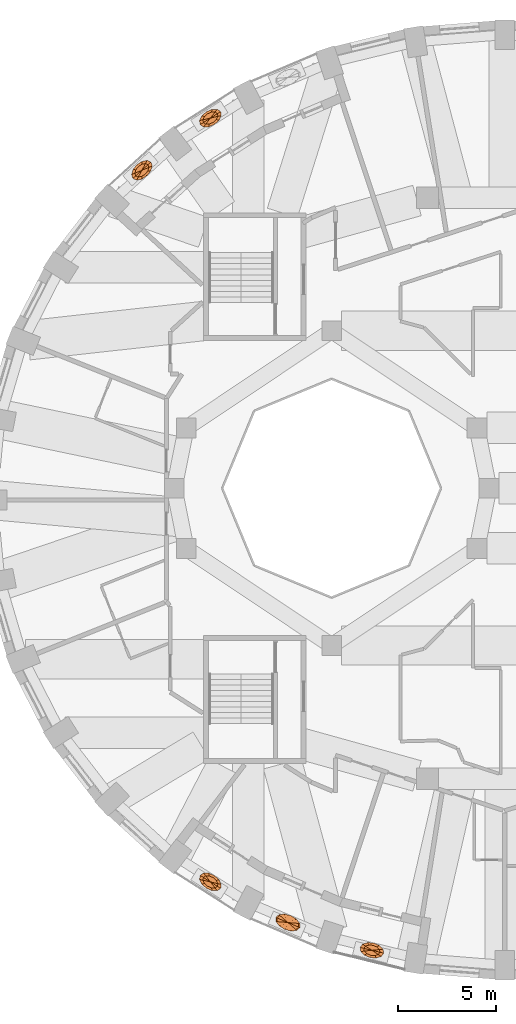
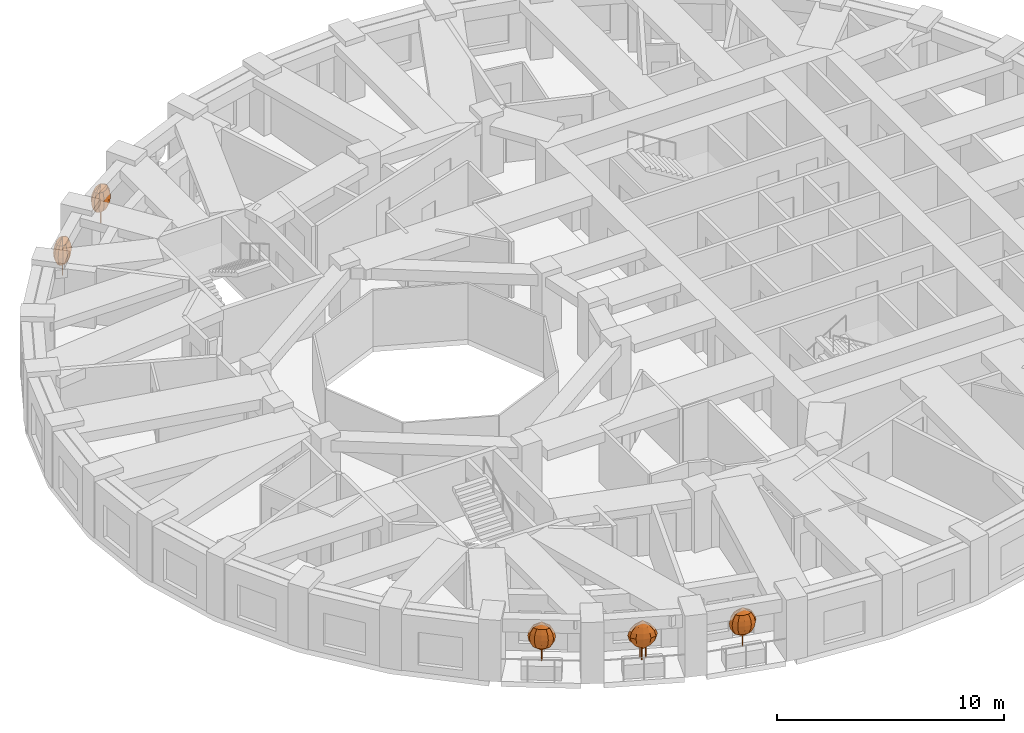
# One storey, part 11 of 12: 5 geographic elements.
"""IFC4 building model written with IfcOpenShell, lengths in metres."""

import ifcopenshell
import ifcopenshell.guid

model = None  # the IFC model being written
_history = None  # IfcOwnerHistory: only IFC2X3 demands one
_inside = {}  # id of a spatial element -> (the spatial element, [elements in it])
_under = {}  # id of a project, library or spatial element -> (it, [spatial elements below it])
_declared = {}  # id of a project -> (the project, [libraries it declares])
_typed = {}  # id of a type object -> (the type object, [elements of that type])
_made_of = {}  # id of a material, layer set ... -> (it, [elements and type objects made of it])


def new_model(schema):
    """Start an empty IFC model of exactly this schema.

    Asked for "IFC4X3", IfcOpenShell would pick the latest addendum, in which some entities
    have other attributes; the version numbers below select the first issue.
    IFC2X3 requires an IfcOwnerHistory on every rooted entity: one is made here for all.
    """
    global model, _history
    if schema == "IFC4X3":
        model = ifcopenshell.file(schema_version=(4, 3, 0, 0))
    else:
        model = ifcopenshell.file(schema=schema)
    _inside.clear()
    _under.clear()
    _declared.clear()
    _typed.clear()
    _made_of.clear()
    _history = None
    if model.schema == "IFC2X3":
        org = make("IfcOrganization", Name="unknown")
        user = make(
            "IfcPersonAndOrganization",
            ThePerson=make("IfcPerson", FamilyName="unknown"),
            TheOrganization=org,
        )
        app = make(
            "IfcApplication",
            ApplicationDeveloper=org,
            Version="unknown",
            ApplicationFullName="unknown",
            ApplicationIdentifier="unknown",
        )
        _history = make(
            "IfcOwnerHistory",
            OwningUser=user,
            OwningApplication=app,
            ChangeAction="ADDED",
            CreationDate=0,
        )
    return model


def make(cls, **values):
    """One entity of the class cls with the attributes given. An attribute that is None is left unset."""
    return model.create_entity(
        cls, **{name: value for name, value in values.items() if value is not None}
    )


def rooted(cls, **values):
    """An entity with a GlobalId (a new one), such as an element, a storey or a relation."""
    return make(cls, GlobalId=ifcopenshell.guid.new(), OwnerHistory=_history, **values)


def si_unit(unit_type, name, prefix=None):
    """IfcSIUnit, for example si_unit("LENGTHUNIT", "METRE", prefix="MILLI")."""
    return make("IfcSIUnit", UnitType=unit_type, Prefix=prefix, Name=name)


def assignment(units):
    """IfcUnitAssignment: the units of a project."""
    return None if units is None else make("IfcUnitAssignment", Units=units)


def point(xyz):
    """IfcCartesianPoint."""
    return None if xyz is None else make("IfcCartesianPoint", Coordinates=xyz)


def direction(xyz):
    """IfcDirection."""
    return None if xyz is None else make("IfcDirection", DirectionRatios=xyz)


def frame(location, z_axis=None, x_axis=None):
    """IfcAxis2Placement3D, a coordinate frame: its origin and axes. An axis left out is left unset."""
    return make(
        "IfcAxis2Placement3D",
        Location=point(location),
        Axis=direction(z_axis),
        RefDirection=direction(x_axis),
    )


def origin():
    """The frame at (0, 0, 0) with its axes left unset."""
    return frame((0.0, 0.0, 0.0))


def place(relative_to, where):
    """IfcLocalPlacement: puts the frame where relative to a parent placement (None: the world)."""
    return make(
        "IfcLocalPlacement", PlacementRelTo=relative_to, RelativePlacement=where
    )


def context(
    kind, dimensions, precision=None, world=None, true_north=None, identifier=None
):
    """IfcGeometricRepresentationContext, for example the 3D "Model" context."""
    return make(
        "IfcGeometricRepresentationContext",
        ContextIdentifier=identifier,
        ContextType=kind,
        CoordinateSpaceDimension=dimensions,
        Precision=precision,
        WorldCoordinateSystem=world,
        TrueNorth=true_north,
    )


def subcontext(parent, identifier, kind, view, scale=None):
    """IfcGeometricRepresentationSubContext, for example "Body" below "Model"."""
    return make(
        "IfcGeometricRepresentationSubContext",
        ContextIdentifier=identifier,
        ContextType=kind,
        ParentContext=parent,
        TargetScale=scale,
        TargetView=view,
    )


def project(units=None, contexts=None):
    """IfcProject with its units and contexts."""
    return rooted(
        "IfcProject",
        Name="project",
        RepresentationContexts=contexts,
        UnitsInContext=assignment(units),
    )


def spatial(cls, under=None, at=None, **own):
    """A site, building, storey or space (cls), placed at a placement, below another one or the project."""
    s = rooted(cls, ObjectPlacement=at, **own)
    if under is not None:
        _under.setdefault(under.id(), (under, []))[1].append(s)
    return s


def faces_of(points, faces, orient=None, outer=None):
    """IfcFace entities. A face is a list of loops; a loop is a list of indices into points, from 0.

    orient and outer hold one flag for each loop. By default every Orientation is true, the
    first loop of a face is its IfcFaceOuterBound and the others are IfcFaceBound.
    """
    made = []
    for i, loops in enumerate(faces):
        bounds = []
        for j, loop in enumerate(loops):
            is_outer = j == 0 if outer is None else outer[i][j]
            bounds.append(
                make(
                    "IfcFaceOuterBound" if is_outer else "IfcFaceBound",
                    Bound=make("IfcPolyLoop", Polygon=[points[k] for k in loop]),
                    Orientation=True if orient is None else orient[i][j],
                )
            )
        made.append(make("IfcFace", Bounds=bounds))
    return made


def faceted_brep(points, faces, orient=None, outer=None, voids=None):
    """IfcFacetedBrep: a solid bounded by flat faces; with voids (closed shells), ...WithVoids."""
    shared = [point(p) for p in points]
    hull = make("IfcClosedShell", CfsFaces=faces_of(shared, faces, orient, outer))
    if voids is None:
        return make("IfcFacetedBrep", Outer=hull)
    return make(
        "IfcFacetedBrepWithVoids",
        Outer=hull,
        Voids=[
            make(cls, CfsFaces=faces_of(shared, fs, o, b)) for cls, fs, o, b in voids
        ],
    )


def shape(context_of_items, identifier, shape_type, items):
    """IfcShapeRepresentation: the items that make up one representation, for example the "Body"."""
    return make(
        "IfcShapeRepresentation",
        ContextOfItems=context_of_items,
        RepresentationIdentifier=identifier,
        RepresentationType=shape_type,
        Items=items,
    )


def material(Name=None, Category=None):
    """IfcMaterial."""
    return make("IfcMaterial", Name=Name, Category=Category)


def constituent(of_material, Name=None, Category=None, fraction=None):
    """IfcMaterialConstituent: one of the materials an element consists of."""
    return make(
        "IfcMaterialConstituent",
        Name=Name,
        Material=of_material,
        Fraction=fraction,
        Category=Category,
    )


def constituent_set(constituents=None, Name=None):
    """IfcMaterialConstituentSet."""
    return make(
        "IfcMaterialConstituentSet", Name=Name, MaterialConstituents=constituents
    )


def made_of(thing, what):
    """Note that an element or type object is made of a material, layer set ...; save() writes the relation."""
    if what is not None:
        _made_of.setdefault(what.id(), (what, []))[1].append(thing)
    return thing


def type_object(cls, material=None, **own):
    """A type object (cls), such as IfcWallType, which elements share."""
    return made_of(rooted(cls, **own), material)


def element(
    cls,
    number,
    at=None,
    inside=None,
    cuts=None,
    type_object=None,
    material=None,
    context=None,
    identifier="Body",
    shape_type=None,
    held_by="IfcProductDefinitionShape",
    body=None,
    shapes=None,
    **own,
):
    """One element of the class cls, such as IfcWall. Its Tag is "e" and its number.

    at: its placement. inside: the storey or other place that contains it. cuts: it is an
    opening in that element (IfcRelVoidsElement). A single representation is given by context,
    identifier, shape_type and body (its items); several are given by shapes. held_by: the class
    of the entity that holds the representations. save() writes the other relations.
    """
    e = rooted(cls, Tag="e%d" % number, ObjectPlacement=at, **own)
    if body is not None:
        shapes = [shape(context, identifier, shape_type, body)]
    if shapes is not None:
        e.Representation = make(held_by, Representations=shapes)
    if inside is not None:
        _inside.setdefault(inside.id(), (inside, []))[1].append(e)
    if cuts is not None:
        rooted(
            "IfcRelVoidsElement", RelatingBuildingElement=cuts, RelatedOpeningElement=e
        )
    if type_object is not None:
        _typed.setdefault(type_object.id(), (type_object, []))[1].append(e)
    return made_of(e, material)


def aggregate(whole, parts):
    """IfcRelAggregates: a whole, such as a stair, and the parts it consists of."""
    return rooted("IfcRelAggregates", RelatingObject=whole, RelatedObjects=parts)


def save(model, path):
    """Write the relations noted so far, then the file.

    IfcRelAggregates (storeys below a building ...), IfcRelContainedInSpatialStructure (elements
    in a storey), IfcRelDefinesByType, IfcRelAssociatesMaterial and IfcRelDeclares: one each for
    every whole, place, type object, material and project.
    """
    for whole, parts in _under.values():
        aggregate(whole, parts)
    for where, things in _inside.values():
        rooted(
            "IfcRelContainedInSpatialStructure",
            RelatedElements=things,
            RelatingStructure=where,
        )
    for kind, things in _typed.values():
        rooted("IfcRelDefinesByType", RelatedObjects=things, RelatingType=kind)
    for what, things in _made_of.values():
        rooted("IfcRelAssociatesMaterial", RelatedObjects=things, RelatingMaterial=what)
    for by, libraries in _declared.values():
        rooted("IfcRelDeclares", RelatingContext=by, RelatedDefinitions=libraries)
    model.write(path)


model = new_model("IFC4")

# Units and contexts
model_context = context("Model", 3, precision=1e-05, world=origin(), true_north=direction((0.0, 1.0)))
body_context = subcontext(model_context, "Body", "Model", "MODEL_VIEW")
ifc_project = project(units=[si_unit("LENGTHUNIT", "METRE"), si_unit("AREAUNIT", "SQUARE_METRE"), si_unit("VOLUMEUNIT", "CUBIC_METRE"), si_unit("PLANEANGLEUNIT", "RADIAN"), si_unit("MASSUNIT", "GRAM", prefix="KILO")], contexts=[model_context])

# Site, building, storey
site_placement = place(None, origin())
site = spatial("IfcSite", under=ifc_project, at=site_placement, CompositionType="ELEMENT")
building_placement = place(site_placement, origin())
building = spatial("IfcBuilding", under=site, at=building_placement, Name="Taillehof Tower", CompositionType="ELEMENT")
storey_placement = place(building_placement, frame((0.0, 0.0, 125.199951171875)))
storey = spatial("IfcBuildingStorey", under=building, at=storey_placement, Name="L35", CompositionType="ELEMENT", Elevation=125.199951171875)

# Geographic elements
ifc_material_1 = material(Name="Tree bark", Category="timber")
ifc_constituent_1 = constituent(ifc_material_1, Name="Trunk", Category="timber")
ifc_material_2 = material(Name="Tree foliage")
ifc_constituent_2 = constituent(ifc_material_2, Name="Crown")
ifc_constituent_set_1 = constituent_set(constituents=[ifc_constituent_1, ifc_constituent_2], Name="Tree TR1 Columnar hornbeam")
geographic_element_type_1 = type_object("IfcGeographicElementType", Name="Tree TR1 Columnar hornbeam", PredefinedType="USERDEFINED", material=ifc_constituent_set_1)
geographic_element_1_placement = place(storey_placement, frame((-14.159423828125, -20.014404296875, 0.75)))
element("IfcGeographicElement", 1, at=geographic_element_1_placement, inside=storey, type_object=geographic_element_type_1, Name="Tree TR1 Columnar hornbeam", ObjectType="TREE", PredefinedType="USERDEFINED", context=body_context, shape_type="Brep", body=[
    faceted_brep([(0.030029296875, 0.0, 0.0), (0.021240234375, 0.021240234375, 0.0), (0.021240234375, 0.021240234375, 1.092529296875), (0.030029296875, 0.0, 1.092529296875), (0.0, 0.030029296875, 0.0), (0.0, 0.030029296875, 1.092529296875), (-0.021240234375, 0.021240234375, 0.0), (-0.021240234375, 0.021240234375, 1.092529296875), (-0.030029296875, 0.0, 0.0), (-0.030029296875, 0.0, 1.092529296875), (-0.021240234375, -0.021240234375, 0.0), (-0.021240234375, -0.021240234375, 1.092529296875), (0.0, -0.030029296875, 0.0), (0.0, -0.030029296875, 1.092529296875), (0.021240234375, -0.021240234375, 0.0), (0.021240234375, -0.021240234375, 1.092529296875)], [[[0, 1, 2, 3]], [[1, 4, 5, 2]], [[4, 6, 7, 5]], [[6, 8, 9, 7]], [[8, 10, 11, 9]], [[10, 12, 13, 11]], [[12, 14, 15, 13]], [[14, 0, 3, 15]], [[14, 12, 10, 8, 6, 4, 1, 0]], [[3, 2, 5, 7, 9, 11, 13, 15]]]),
    faceted_brep([(0.0, 0.0, 0.550048828125), (0.3779296875, -0.08642578125, 0.808349609375), (0.35595703125, -0.226318359375, 0.808349609375), (0.298583984375, 0.07666015625, 0.808349609375), (0.13916015625, 0.218994140625, 0.808349609375), (-0.057373046875, 0.302734375, 0.808349609375), (-0.238525390625, 0.305419921875, 0.808349609375), (-0.35595703125, 0.226318359375, 0.808349609375), (-0.3779296875, 0.08642578125, 0.808349609375), (-0.298583984375, -0.07666015625, 0.808349609375), (-0.13916015625, -0.218994140625, 0.808349609375), (0.057373046875, -0.302734375, 0.808349609375), (0.238525390625, -0.305419921875, 0.808349609375), (0.51123046875, -0.116943359375, 1.066650390625), (0.4814453125, -0.30615234375, 1.066650390625), (0.40380859375, 0.103515625, 1.066650390625), (0.1884765625, 0.29638671875, 1.066650390625), (-0.07763671875, 0.40966796875, 1.066650390625), (-0.32275390625, 0.413330078125, 1.066650390625), (-0.4814453125, 0.30615234375, 1.066650390625), (-0.51123046875, 0.116943359375, 1.066650390625), (-0.40380859375, -0.103515625, 1.066650390625), (-0.1884765625, -0.29638671875, 1.066650390625), (0.07763671875, -0.40966796875, 1.066650390625), (0.32275390625, -0.413330078125, 1.066650390625), (0.55322265625, -0.12646484375, 1.324951171875), (0.52099609375, -0.331298828125, 1.324951171875), (0.43701171875, 0.112060546875, 1.324951171875), (0.203857421875, 0.320556640625, 1.324951171875), (-0.083984375, 0.443359375, 1.324951171875), (-0.349365234375, 0.447265625, 1.324951171875), (-0.52099609375, 0.331298828125, 1.324951171875), (-0.55322265625, 0.12646484375, 1.324951171875), (-0.43701171875, -0.112060546875, 1.324951171875), (-0.203857421875, -0.320556640625, 1.324951171875), (0.083984375, -0.443359375, 1.324951171875), (0.349365234375, -0.447265625, 1.324951171875), (0.51123046875, -0.116943359375, 1.583251953125), (0.4814453125, -0.30615234375, 1.583251953125), (0.40380859375, 0.103515625, 1.583251953125), (0.1884765625, 0.29638671875, 1.583251953125), (-0.07763671875, 0.40966796875, 1.583251953125), (-0.32275390625, 0.413330078125, 1.583251953125), (-0.4814453125, 0.30615234375, 1.583251953125), (-0.51123046875, 0.116943359375, 1.583251953125), (-0.40380859375, -0.103515625, 1.583251953125), (-0.1884765625, -0.29638671875, 1.583251953125), (0.07763671875, -0.40966796875, 1.583251953125), (0.32275390625, -0.413330078125, 1.583251953125), (0.3779296875, -0.08642578125, 1.841552734375), (0.35595703125, -0.226318359375, 1.841552734375), (0.298583984375, 0.07666015625, 1.841552734375), (0.13916015625, 0.218994140625, 1.841552734375), (-0.057373046875, 0.302734375, 1.841552734375), (-0.238525390625, 0.305419921875, 1.841552734375), (-0.35595703125, 0.226318359375, 1.841552734375), (-0.3779296875, 0.08642578125, 1.841552734375), (-0.298583984375, -0.07666015625, 1.841552734375), (-0.13916015625, -0.218994140625, 1.841552734375), (0.057373046875, -0.302734375, 1.841552734375), (0.238525390625, -0.305419921875, 1.841552734375), (0.0, 0.0, 2.10009765625)], [[[0, 1, 2]], [[0, 3, 1]], [[0, 4, 3]], [[0, 5, 4]], [[0, 6, 5]], [[0, 7, 6]], [[0, 8, 7]], [[0, 9, 8]], [[0, 10, 9]], [[0, 11, 10]], [[0, 12, 11]], [[0, 2, 12]], [[2, 1, 13, 14]], [[1, 3, 15, 13]], [[3, 4, 16, 15]], [[4, 5, 17, 16]], [[5, 6, 18, 17]], [[6, 7, 19, 18]], [[7, 8, 20, 19]], [[8, 9, 21, 20]], [[9, 10, 22, 21]], [[10, 11, 23, 22]], [[11, 12, 24, 23]], [[12, 2, 14, 24]], [[14, 13, 25, 26]], [[13, 15, 27, 25]], [[15, 16, 28, 27]], [[16, 17, 29, 28]], [[17, 18, 30, 29]], [[18, 19, 31, 30]], [[19, 20, 32, 31]], [[20, 21, 33, 32]], [[21, 22, 34, 33]], [[22, 23, 35, 34]], [[23, 24, 36, 35]], [[24, 14, 26, 36]], [[26, 25, 37, 38]], [[25, 27, 39, 37]], [[27, 28, 40, 39]], [[28, 29, 41, 40]], [[29, 30, 42, 41]], [[30, 31, 43, 42]], [[31, 32, 44, 43]], [[32, 33, 45, 44]], [[33, 34, 46, 45]], [[34, 35, 47, 46]], [[35, 36, 48, 47]], [[36, 26, 38, 48]], [[38, 37, 49, 50]], [[37, 39, 51, 49]], [[39, 40, 52, 51]], [[40, 41, 53, 52]], [[41, 42, 54, 53]], [[42, 43, 55, 54]], [[43, 44, 56, 55]], [[44, 45, 57, 56]], [[45, 46, 58, 57]], [[46, 47, 59, 58]], [[47, 48, 60, 59]], [[48, 38, 50, 60]], [[50, 49, 61]], [[49, 51, 61]], [[51, 52, 61]], [[52, 53, 61]], [[53, 54, 61]], [[54, 55, 61]], [[55, 56, 61]], [[56, 57, 61]], [[57, 58, 61]], [[58, 59, 61]], [[59, 60, 61]], [[60, 50, 61]]]),
])
geographic_element_2_placement = place(storey_placement, frame((-5.94970703125, -23.49072265625, 0.75)))
element("IfcGeographicElement", 2, at=geographic_element_2_placement, inside=storey, type_object=geographic_element_type_1, Name="Tree TR1 Columnar hornbeam", ObjectType="TREE", PredefinedType="USERDEFINED", context=body_context, shape_type="Brep", body=[
    faceted_brep([(0.030029296875, 0.0, 0.0), (0.021240234375, 0.021240234375, 0.0), (0.021240234375, 0.021240234375, 1.092529296875), (0.030029296875, 0.0, 1.092529296875), (0.0, 0.030029296875, 0.0), (0.0, 0.030029296875, 1.092529296875), (-0.021240234375, 0.021240234375, 0.0), (-0.021240234375, 0.021240234375, 1.092529296875), (-0.030029296875, 0.0, 0.0), (-0.030029296875, 0.0, 1.092529296875), (-0.021240234375, -0.021240234375, 0.0), (-0.021240234375, -0.021240234375, 1.092529296875), (0.0, -0.030029296875, 0.0), (0.0, -0.030029296875, 1.092529296875), (0.021240234375, -0.021240234375, 0.0), (0.021240234375, -0.021240234375, 1.092529296875)], [[[0, 1, 2, 3]], [[1, 4, 5, 2]], [[4, 6, 7, 5]], [[6, 8, 9, 7]], [[8, 10, 11, 9]], [[10, 12, 13, 11]], [[12, 14, 15, 13]], [[14, 0, 3, 15]], [[14, 12, 10, 8, 6, 4, 1, 0]], [[3, 2, 5, 7, 9, 11, 13, 15]]]),
    faceted_brep([(0.0, 0.0, 0.550048828125), (0.385498046875, 0.039794921875, 0.808349609375), (0.409912109375, -0.099609375, 0.808349609375), (0.258056640625, 0.16845703125, 0.808349609375), (0.061279296875, 0.252197265625, 0.808349609375), (-0.15185546875, 0.268310546875, 0.808349609375), (-0.32421875, 0.21240234375, 0.808349609375), (-0.409912109375, 0.099609375, 0.808349609375), (-0.385498046875, -0.039794921875, 0.808349609375), (-0.258056640625, -0.16845703125, 0.808349609375), (-0.061279296875, -0.252197265625, 0.808349609375), (0.15185546875, -0.268310546875, 0.808349609375), (0.32421875, -0.21240234375, 0.808349609375), (0.521484375, 0.0537109375, 1.066650390625), (0.554443359375, -0.134765625, 1.066650390625), (0.34912109375, 0.22802734375, 1.066650390625), (0.0830078125, 0.341064453125, 1.066650390625), (-0.205322265625, 0.36279296875, 1.066650390625), (-0.4384765625, 0.287353515625, 1.066650390625), (-0.554443359375, 0.134765625, 1.066650390625), (-0.521484375, -0.0537109375, 1.066650390625), (-0.34912109375, -0.22802734375, 1.066650390625), (-0.0830078125, -0.341064453125, 1.066650390625), (0.205322265625, -0.36279296875, 1.066650390625), (0.4384765625, -0.287353515625, 1.066650390625), (0.564453125, 0.05810546875, 1.324951171875), (0.60009765625, -0.14599609375, 1.324951171875), (0.377685546875, 0.246826171875, 1.324951171875), (0.08984375, 0.369140625, 1.324951171875), (-0.22216796875, 0.392822265625, 1.324951171875), (-0.474609375, 0.31103515625, 1.324951171875), (-0.60009765625, 0.14599609375, 1.324951171875), (-0.564453125, -0.05810546875, 1.324951171875), (-0.377685546875, -0.246826171875, 1.324951171875), (-0.08984375, -0.369140625, 1.324951171875), (0.22216796875, -0.392822265625, 1.324951171875), (0.474609375, -0.31103515625, 1.324951171875), (0.521484375, 0.0537109375, 1.583251953125), (0.554443359375, -0.134765625, 1.583251953125), (0.34912109375, 0.22802734375, 1.583251953125), (0.0830078125, 0.341064453125, 1.583251953125), (-0.205322265625, 0.36279296875, 1.583251953125), (-0.4384765625, 0.287353515625, 1.583251953125), (-0.554443359375, 0.134765625, 1.583251953125), (-0.521484375, -0.0537109375, 1.583251953125), (-0.34912109375, -0.22802734375, 1.583251953125), (-0.0830078125, -0.341064453125, 1.583251953125), (0.205322265625, -0.36279296875, 1.583251953125), (0.4384765625, -0.287353515625, 1.583251953125), (0.385498046875, 0.039794921875, 1.841552734375), (0.409912109375, -0.099609375, 1.841552734375), (0.258056640625, 0.16845703125, 1.841552734375), (0.061279296875, 0.252197265625, 1.841552734375), (-0.15185546875, 0.268310546875, 1.841552734375), (-0.32421875, 0.21240234375, 1.841552734375), (-0.409912109375, 0.099609375, 1.841552734375), (-0.385498046875, -0.039794921875, 1.841552734375), (-0.258056640625, -0.16845703125, 1.841552734375), (-0.061279296875, -0.252197265625, 1.841552734375), (0.15185546875, -0.268310546875, 1.841552734375), (0.32421875, -0.21240234375, 1.841552734375), (0.0, 0.0, 2.10009765625)], [[[0, 1, 2]], [[0, 3, 1]], [[0, 4, 3]], [[0, 5, 4]], [[0, 6, 5]], [[0, 7, 6]], [[0, 8, 7]], [[0, 9, 8]], [[0, 10, 9]], [[0, 11, 10]], [[0, 12, 11]], [[0, 2, 12]], [[2, 1, 13, 14]], [[1, 3, 15, 13]], [[3, 4, 16, 15]], [[4, 5, 17, 16]], [[5, 6, 18, 17]], [[6, 7, 19, 18]], [[7, 8, 20, 19]], [[8, 9, 21, 20]], [[9, 10, 22, 21]], [[10, 11, 23, 22]], [[11, 12, 24, 23]], [[12, 2, 14, 24]], [[14, 13, 25, 26]], [[13, 15, 27, 25]], [[15, 16, 28, 27]], [[16, 17, 29, 28]], [[17, 18, 30, 29]], [[18, 19, 31, 30]], [[19, 20, 32, 31]], [[20, 21, 33, 32]], [[21, 22, 34, 33]], [[22, 23, 35, 34]], [[23, 24, 36, 35]], [[24, 14, 26, 36]], [[26, 25, 37, 38]], [[25, 27, 39, 37]], [[27, 28, 40, 39]], [[28, 29, 41, 40]], [[29, 30, 42, 41]], [[30, 31, 43, 42]], [[31, 32, 44, 43]], [[32, 33, 45, 44]], [[33, 34, 46, 45]], [[34, 35, 47, 46]], [[35, 36, 48, 47]], [[36, 26, 38, 48]], [[38, 37, 49, 50]], [[37, 39, 51, 49]], [[39, 40, 52, 51]], [[40, 41, 53, 52]], [[41, 42, 54, 53]], [[42, 43, 55, 54]], [[43, 44, 56, 55]], [[44, 45, 57, 56]], [[45, 46, 58, 57]], [[46, 47, 59, 58]], [[47, 48, 60, 59]], [[48, 38, 50, 60]], [[50, 49, 61]], [[49, 51, 61]], [[51, 52, 61]], [[52, 53, 61]], [[53, 54, 61]], [[54, 55, 61]], [[55, 56, 61]], [[56, 57, 61]], [[57, 58, 61]], [[58, 59, 61]], [[59, 60, 61]], [[60, 50, 61]]]),
])
geographic_element_3_placement = place(storey_placement, frame((-14.159423828125, 18.814453125, 0.75)))
element("IfcGeographicElement", 3, at=geographic_element_3_placement, inside=storey, type_object=geographic_element_type_1, Name="Tree TR1 Columnar hornbeam", ObjectType="TREE", PredefinedType="USERDEFINED", context=body_context, shape_type="Brep", body=[
    faceted_brep([(0.030029296875, 0.0, 0.0), (0.021240234375, 0.021240234375, 0.0), (0.021240234375, 0.021240234375, 1.092529296875), (0.030029296875, 0.0, 1.092529296875), (0.0, 0.030029296875, 0.0), (0.0, 0.030029296875, 1.092529296875), (-0.021240234375, 0.021240234375, 0.0), (-0.021240234375, 0.021240234375, 1.092529296875), (-0.030029296875, 0.0, 0.0), (-0.030029296875, 0.0, 1.092529296875), (-0.021240234375, -0.021240234375, 0.0), (-0.021240234375, -0.021240234375, 1.092529296875), (0.0, -0.030029296875, 0.0), (0.0, -0.030029296875, 1.092529296875), (0.021240234375, -0.021240234375, 0.0), (0.021240234375, -0.021240234375, 1.092529296875)], [[[0, 1, 2, 3]], [[1, 4, 5, 2]], [[4, 6, 7, 5]], [[6, 8, 9, 7]], [[8, 10, 11, 9]], [[10, 12, 13, 11]], [[12, 14, 15, 13]], [[14, 0, 3, 15]], [[14, 12, 10, 8, 6, 4, 1, 0]], [[3, 2, 5, 7, 9, 11, 13, 15]]]),
    faceted_brep([(0.0, 0.0, 0.550048828125), (-0.238525390625, -0.305419921875, 0.808349609375), (-0.35595703125, -0.226318359375, 0.808349609375), (-0.057373046875, -0.302734375, 0.808349609375), (0.13916015625, -0.218994140625, 0.808349609375), (0.298583984375, -0.07666015625, 0.808349609375), (0.3779296875, 0.08642578125, 0.808349609375), (0.35595703125, 0.226318359375, 0.808349609375), (0.238525390625, 0.305419921875, 0.808349609375), (0.057373046875, 0.302734375, 0.808349609375), (-0.13916015625, 0.218994140625, 0.808349609375), (-0.298583984375, 0.07666015625, 0.808349609375), (-0.3779296875, -0.08642578125, 0.808349609375), (-0.32275390625, -0.413330078125, 1.066650390625), (-0.4814453125, -0.30615234375, 1.066650390625), (-0.07763671875, -0.40966796875, 1.066650390625), (0.1884765625, -0.29638671875, 1.066650390625), (0.40380859375, -0.103515625, 1.066650390625), (0.51123046875, 0.116943359375, 1.066650390625), (0.4814453125, 0.30615234375, 1.066650390625), (0.32275390625, 0.413330078125, 1.066650390625), (0.07763671875, 0.40966796875, 1.066650390625), (-0.1884765625, 0.29638671875, 1.066650390625), (-0.40380859375, 0.103515625, 1.066650390625), (-0.51123046875, -0.116943359375, 1.066650390625), (-0.349365234375, -0.447265625, 1.324951171875), (-0.52099609375, -0.331298828125, 1.324951171875), (-0.083984375, -0.443359375, 1.324951171875), (0.203857421875, -0.320556640625, 1.324951171875), (0.43701171875, -0.112060546875, 1.324951171875), (0.55322265625, 0.12646484375, 1.324951171875), (0.52099609375, 0.331298828125, 1.324951171875), (0.349365234375, 0.447265625, 1.324951171875), (0.083984375, 0.443359375, 1.324951171875), (-0.203857421875, 0.320556640625, 1.324951171875), (-0.43701171875, 0.112060546875, 1.324951171875), (-0.55322265625, -0.12646484375, 1.324951171875), (-0.32275390625, -0.413330078125, 1.583251953125), (-0.4814453125, -0.30615234375, 1.583251953125), (-0.07763671875, -0.40966796875, 1.583251953125), (0.1884765625, -0.29638671875, 1.583251953125), (0.40380859375, -0.103515625, 1.583251953125), (0.51123046875, 0.116943359375, 1.583251953125), (0.4814453125, 0.30615234375, 1.583251953125), (0.32275390625, 0.413330078125, 1.583251953125), (0.07763671875, 0.40966796875, 1.583251953125), (-0.1884765625, 0.29638671875, 1.583251953125), (-0.40380859375, 0.103515625, 1.583251953125), (-0.51123046875, -0.116943359375, 1.583251953125), (-0.238525390625, -0.305419921875, 1.841552734375), (-0.35595703125, -0.226318359375, 1.841552734375), (-0.057373046875, -0.302734375, 1.841552734375), (0.13916015625, -0.218994140625, 1.841552734375), (0.298583984375, -0.07666015625, 1.841552734375), (0.3779296875, 0.08642578125, 1.841552734375), (0.35595703125, 0.226318359375, 1.841552734375), (0.238525390625, 0.305419921875, 1.841552734375), (0.057373046875, 0.302734375, 1.841552734375), (-0.13916015625, 0.218994140625, 1.841552734375), (-0.298583984375, 0.07666015625, 1.841552734375), (-0.3779296875, -0.08642578125, 1.841552734375), (0.0, 0.0, 2.10009765625)], [[[0, 1, 2]], [[0, 3, 1]], [[0, 4, 3]], [[0, 5, 4]], [[0, 6, 5]], [[0, 7, 6]], [[0, 8, 7]], [[0, 9, 8]], [[0, 10, 9]], [[0, 11, 10]], [[0, 12, 11]], [[0, 2, 12]], [[2, 1, 13, 14]], [[1, 3, 15, 13]], [[3, 4, 16, 15]], [[4, 5, 17, 16]], [[5, 6, 18, 17]], [[6, 7, 19, 18]], [[7, 8, 20, 19]], [[8, 9, 21, 20]], [[9, 10, 22, 21]], [[10, 11, 23, 22]], [[11, 12, 24, 23]], [[12, 2, 14, 24]], [[14, 13, 25, 26]], [[13, 15, 27, 25]], [[15, 16, 28, 27]], [[16, 17, 29, 28]], [[17, 18, 30, 29]], [[18, 19, 31, 30]], [[19, 20, 32, 31]], [[20, 21, 33, 32]], [[21, 22, 34, 33]], [[22, 23, 35, 34]], [[23, 24, 36, 35]], [[24, 14, 26, 36]], [[26, 25, 37, 38]], [[25, 27, 39, 37]], [[27, 28, 40, 39]], [[28, 29, 41, 40]], [[29, 30, 42, 41]], [[30, 31, 43, 42]], [[31, 32, 44, 43]], [[32, 33, 45, 44]], [[33, 34, 46, 45]], [[34, 35, 47, 46]], [[35, 36, 48, 47]], [[36, 26, 38, 48]], [[38, 37, 49, 50]], [[37, 39, 51, 49]], [[39, 40, 52, 51]], [[40, 41, 53, 52]], [[41, 42, 54, 53]], [[42, 43, 55, 54]], [[43, 44, 56, 55]], [[44, 45, 57, 56]], [[45, 46, 58, 57]], [[46, 47, 59, 58]], [[47, 48, 60, 59]], [[48, 38, 50, 60]], [[50, 49, 61]], [[49, 51, 61]], [[51, 52, 61]], [[52, 53, 61]], [[53, 54, 61]], [[54, 55, 61]], [[55, 56, 61]], [[56, 57, 61]], [[57, 58, 61]], [[58, 59, 61]], [[59, 60, 61]], [[60, 50, 61]]]),
])
geographic_element_4_placement = place(storey_placement, frame((-17.643310546875, 16.16015625, 0.75)))
element("IfcGeographicElement", 4, at=geographic_element_4_placement, inside=storey, type_object=geographic_element_type_1, Name="Tree TR1 Columnar hornbeam", ObjectType="TREE", PredefinedType="USERDEFINED", context=body_context, shape_type="Brep", body=[
    faceted_brep([(0.030029296875, 0.0, 0.0), (0.021240234375, 0.021240234375, 0.0), (0.021240234375, 0.021240234375, 1.092529296875), (0.030029296875, 0.0, 1.092529296875), (0.0, 0.030029296875, 0.0), (0.0, 0.030029296875, 1.092529296875), (-0.021240234375, 0.021240234375, 0.0), (-0.021240234375, 0.021240234375, 1.092529296875), (-0.030029296875, 0.0, 0.0), (-0.030029296875, 0.0, 1.092529296875), (-0.021240234375, -0.021240234375, 0.0), (-0.021240234375, -0.021240234375, 1.092529296875), (0.0, -0.030029296875, 0.0), (0.0, -0.030029296875, 1.092529296875), (0.021240234375, -0.021240234375, 0.0), (0.021240234375, -0.021240234375, 1.092529296875)], [[[0, 1, 2, 3]], [[1, 4, 5, 2]], [[4, 6, 7, 5]], [[6, 8, 9, 7]], [[8, 10, 11, 9]], [[10, 12, 13, 11]], [[12, 14, 15, 13]], [[14, 0, 3, 15]], [[14, 12, 10, 8, 6, 4, 1, 0]], [[3, 2, 5, 7, 9, 11, 13, 15]]]),
    faceted_brep([(0.0, 0.0, 0.550048828125), (-0.18310546875, -0.341552734375, 0.808349609375), (-0.312255859375, -0.283447265625, 0.808349609375), (-0.005126953125, -0.30810546875, 0.808349609375), (0.174560546875, -0.192138671875, 0.808349609375), (0.30712890625, -0.024658203125, 0.808349609375), (0.357666015625, 0.1494140625, 0.808349609375), (0.312255859375, 0.283447265625, 0.808349609375), (0.18310546875, 0.341552734375, 0.808349609375), (0.005126953125, 0.30810546875, 0.808349609375), (-0.174560546875, 0.192138671875, 0.808349609375), (-0.30712890625, 0.024658203125, 0.808349609375), (-0.357666015625, -0.1494140625, 0.808349609375), (-0.247802734375, -0.462158203125, 1.066650390625), (-0.42236328125, -0.383544921875, 1.066650390625), (-0.0068359375, -0.4169921875, 1.066650390625), (0.236083984375, -0.260009765625, 1.066650390625), (0.41552734375, -0.033447265625, 1.066650390625), (0.48388671875, 0.2021484375, 1.066650390625), (0.42236328125, 0.383544921875, 1.066650390625), (0.247802734375, 0.462158203125, 1.066650390625), (0.0068359375, 0.4169921875, 1.066650390625), (-0.236083984375, 0.260009765625, 1.066650390625), (-0.41552734375, 0.033447265625, 1.066650390625), (-0.48388671875, -0.2021484375, 1.066650390625), (-0.268310546875, -0.500244140625, 1.324951171875), (-0.457275390625, -0.4150390625, 1.324951171875), (-0.00732421875, -0.451171875, 1.324951171875), (0.25537109375, -0.28125, 1.324951171875), (0.44970703125, -0.0361328125, 1.324951171875), (0.523681640625, 0.21875, 1.324951171875), (0.457275390625, 0.4150390625, 1.324951171875), (0.268310546875, 0.500244140625, 1.324951171875), (0.00732421875, 0.451171875, 1.324951171875), (-0.25537109375, 0.28125, 1.324951171875), (-0.44970703125, 0.0361328125, 1.324951171875), (-0.523681640625, -0.21875, 1.324951171875), (-0.247802734375, -0.462158203125, 1.583251953125), (-0.42236328125, -0.383544921875, 1.583251953125), (-0.0068359375, -0.4169921875, 1.583251953125), (0.236083984375, -0.260009765625, 1.583251953125), (0.41552734375, -0.033447265625, 1.583251953125), (0.48388671875, 0.2021484375, 1.583251953125), (0.42236328125, 0.383544921875, 1.583251953125), (0.247802734375, 0.462158203125, 1.583251953125), (0.0068359375, 0.4169921875, 1.583251953125), (-0.236083984375, 0.260009765625, 1.583251953125), (-0.41552734375, 0.033447265625, 1.583251953125), (-0.48388671875, -0.2021484375, 1.583251953125), (-0.18310546875, -0.341552734375, 1.841552734375), (-0.312255859375, -0.283447265625, 1.841552734375), (-0.005126953125, -0.30810546875, 1.841552734375), (0.174560546875, -0.192138671875, 1.841552734375), (0.30712890625, -0.024658203125, 1.841552734375), (0.357666015625, 0.1494140625, 1.841552734375), (0.312255859375, 0.283447265625, 1.841552734375), (0.18310546875, 0.341552734375, 1.841552734375), (0.005126953125, 0.30810546875, 1.841552734375), (-0.174560546875, 0.192138671875, 1.841552734375), (-0.30712890625, 0.024658203125, 1.841552734375), (-0.357666015625, -0.1494140625, 1.841552734375), (0.0, 0.0, 2.10009765625)], [[[0, 1, 2]], [[0, 3, 1]], [[0, 4, 3]], [[0, 5, 4]], [[0, 6, 5]], [[0, 7, 6]], [[0, 8, 7]], [[0, 9, 8]], [[0, 10, 9]], [[0, 11, 10]], [[0, 12, 11]], [[0, 2, 12]], [[2, 1, 13, 14]], [[1, 3, 15, 13]], [[3, 4, 16, 15]], [[4, 5, 17, 16]], [[5, 6, 18, 17]], [[6, 7, 19, 18]], [[7, 8, 20, 19]], [[8, 9, 21, 20]], [[9, 10, 22, 21]], [[10, 11, 23, 22]], [[11, 12, 24, 23]], [[12, 2, 14, 24]], [[14, 13, 25, 26]], [[13, 15, 27, 25]], [[15, 16, 28, 27]], [[16, 17, 29, 28]], [[17, 18, 30, 29]], [[18, 19, 31, 30]], [[19, 20, 32, 31]], [[20, 21, 33, 32]], [[21, 22, 34, 33]], [[22, 23, 35, 34]], [[23, 24, 36, 35]], [[24, 14, 26, 36]], [[26, 25, 37, 38]], [[25, 27, 39, 37]], [[27, 28, 40, 39]], [[28, 29, 41, 40]], [[29, 30, 42, 41]], [[30, 31, 43, 42]], [[31, 32, 44, 43]], [[32, 33, 45, 44]], [[33, 34, 46, 45]], [[34, 35, 47, 46]], [[35, 36, 48, 47]], [[36, 26, 38, 48]], [[38, 37, 49, 50]], [[37, 39, 51, 49]], [[39, 40, 52, 51]], [[40, 41, 53, 52]], [[41, 42, 54, 53]], [[42, 43, 55, 54]], [[43, 44, 56, 55]], [[44, 45, 57, 56]], [[45, 46, 58, 57]], [[46, 47, 59, 58]], [[47, 48, 60, 59]], [[48, 38, 50, 60]], [[50, 49, 61]], [[49, 51, 61]], [[51, 52, 61]], [[52, 53, 61]], [[53, 54, 61]], [[54, 55, 61]], [[55, 56, 61]], [[56, 57, 61]], [[57, 58, 61]], [[58, 59, 61]], [[59, 60, 61]], [[60, 50, 61]]]),
])
ifc_material_3 = material(Name="Tree bark", Category="timber")
ifc_constituent_3 = constituent(ifc_material_3, Name="Trunk", Category="timber")
ifc_material_4 = material(Name="Tree foliage")
ifc_constituent_4 = constituent(ifc_material_4, Name="Crown")
ifc_constituent_set_2 = constituent_set(constituents=[ifc_constituent_3, ifc_constituent_4], Name="Tree TR3 Multi-stem serviceberry")
geographic_element_type_2 = type_object("IfcGeographicElementType", Name="Tree TR3 Multi-stem serviceberry", PredefinedType="USERDEFINED", material=ifc_constituent_set_2)
geographic_element_5_placement = place(storey_placement, frame((-10.2216796875, -22.078857421875, 0.75)))
element("IfcGeographicElement", 5, at=geographic_element_5_placement, inside=storey, type_object=geographic_element_type_2, Name="Tree TR3 Multi-stem serviceberry", ObjectType="TREE", PredefinedType="USERDEFINED", context=body_context, shape_type="Brep", body=[
    faceted_brep([(0.195068359375, 0.0, 0.0), (0.186767578125, 0.0205078125, 0.0), (0.186767578125, 0.0205078125, 1.04248046875), (0.195068359375, 0.0, 1.04248046875), (0.166259765625, 0.02880859375, 0.0), (0.166259765625, 0.02880859375, 1.04248046875), (0.145751953125, 0.0205078125, 0.0), (0.145751953125, 0.0205078125, 1.04248046875), (0.137451171875, 0.0, 0.0), (0.137451171875, 0.0, 1.04248046875), (0.145751953125, -0.0205078125, 0.0), (0.145751953125, -0.0205078125, 1.04248046875), (0.166259765625, -0.02880859375, 0.0), (0.166259765625, -0.02880859375, 1.04248046875), (0.186767578125, -0.0205078125, 0.0), (0.186767578125, -0.0205078125, 1.04248046875)], [[[0, 1, 2, 3]], [[1, 4, 5, 2]], [[4, 6, 7, 5]], [[6, 8, 9, 7]], [[8, 10, 11, 9]], [[10, 12, 13, 11]], [[12, 14, 15, 13]], [[14, 0, 3, 15]], [[14, 12, 10, 8, 6, 4, 1, 0]], [[3, 2, 5, 7, 9, 11, 13, 15]]]),
    faceted_brep([(-0.05419921875, 0.082275390625, 0.0), (-0.062744140625, 0.102783203125, 0.0), (-0.062744140625, 0.102783203125, 1.04248046875), (-0.05419921875, 0.082275390625, 1.04248046875), (-0.0830078125, 0.111083984375, 0.0), (-0.0830078125, 0.111083984375, 1.04248046875), (-0.103515625, 0.102783203125, 0.0), (-0.103515625, 0.102783203125, 1.04248046875), (-0.112060546875, 0.082275390625, 0.0), (-0.112060546875, 0.082275390625, 1.04248046875), (-0.103515625, 0.061767578125, 0.0), (-0.103515625, 0.061767578125, 1.04248046875), (-0.0830078125, 0.053466796875, 0.0), (-0.0830078125, 0.053466796875, 1.04248046875), (-0.062744140625, 0.061767578125, 0.0), (-0.062744140625, 0.061767578125, 1.04248046875)], [[[0, 1, 2, 3]], [[1, 4, 5, 2]], [[4, 6, 7, 5]], [[6, 8, 9, 7]], [[8, 10, 11, 9]], [[10, 12, 13, 11]], [[12, 14, 15, 13]], [[14, 0, 3, 15]], [[14, 12, 10, 8, 6, 4, 1, 0]], [[3, 2, 5, 7, 9, 11, 13, 15]]]),
    faceted_brep([(-0.05419921875, -0.082275390625, 0.0), (-0.062744140625, -0.061767578125, 0.0), (-0.062744140625, -0.061767578125, 1.04248046875), (-0.05419921875, -0.082275390625, 1.04248046875), (-0.0830078125, -0.053466796875, 0.0), (-0.0830078125, -0.053466796875, 1.04248046875), (-0.103515625, -0.061767578125, 0.0), (-0.103515625, -0.061767578125, 1.04248046875), (-0.112060546875, -0.082275390625, 0.0), (-0.112060546875, -0.082275390625, 1.04248046875), (-0.103515625, -0.102783203125, 0.0), (-0.103515625, -0.102783203125, 1.04248046875), (-0.0830078125, -0.111083984375, 0.0), (-0.0830078125, -0.111083984375, 1.04248046875), (-0.062744140625, -0.102783203125, 0.0), (-0.062744140625, -0.102783203125, 1.04248046875)], [[[0, 1, 2, 3]], [[1, 4, 5, 2]], [[4, 6, 7, 5]], [[6, 8, 9, 7]], [[8, 10, 11, 9]], [[10, 12, 13, 11]], [[12, 14, 15, 13]], [[14, 0, 3, 15]], [[14, 12, 10, 8, 6, 4, 1, 0]], [[3, 2, 5, 7, 9, 11, 13, 15]]]),
    faceted_brep([(0.0, 0.0, 0.5), (0.34716796875, -0.028564453125, 0.75830078125), (0.351806640625, -0.14892578125, 0.75830078125), (0.24951171875, 0.099609375, 0.75830078125), (0.085205078125, 0.200927734375, 0.75830078125), (-0.10205078125, 0.24853515625, 0.75830078125), (-0.261962890625, 0.2294921875, 0.75830078125), (-0.351806640625, 0.14892578125, 0.75830078125), (-0.34716796875, 0.028564453125, 0.75830078125), (-0.24951171875, -0.099609375, 0.75830078125), (-0.085205078125, -0.200927734375, 0.75830078125), (0.10205078125, -0.24853515625, 0.75830078125), (0.261962890625, -0.2294921875, 0.75830078125), (0.538818359375, -0.044189453125, 1.0166015625), (0.5458984375, -0.231201171875, 1.0166015625), (0.38720703125, 0.154541015625, 1.0166015625), (0.132080078125, 0.31201171875, 1.0166015625), (-0.158447265625, 0.3857421875, 1.0166015625), (-0.40673828125, 0.356201171875, 1.0166015625), (-0.5458984375, 0.231201171875, 1.0166015625), (-0.538818359375, 0.044189453125, 1.0166015625), (-0.38720703125, -0.154541015625, 1.0166015625), (-0.132080078125, -0.31201171875, 1.0166015625), (0.158447265625, -0.3857421875, 1.0166015625), (0.40673828125, -0.356201171875, 1.0166015625), (0.6044921875, -0.049560546875, 1.27490234375), (0.6123046875, -0.25927734375, 1.27490234375), (0.4345703125, 0.17333984375, 1.27490234375), (0.148193359375, 0.349853515625, 1.27490234375), (-0.177978515625, 0.4326171875, 1.27490234375), (-0.456298828125, 0.3994140625, 1.27490234375), (-0.6123046875, 0.25927734375, 1.27490234375), (-0.6044921875, 0.049560546875, 1.27490234375), (-0.4345703125, -0.17333984375, 1.27490234375), (-0.148193359375, -0.349853515625, 1.27490234375), (0.177978515625, -0.4326171875, 1.27490234375), (0.456298828125, -0.3994140625, 1.27490234375), (0.538818359375, -0.044189453125, 1.533447265625), (0.5458984375, -0.231201171875, 1.533447265625), (0.38720703125, 0.154541015625, 1.533447265625), (0.132080078125, 0.31201171875, 1.533447265625), (-0.158447265625, 0.3857421875, 1.533447265625), (-0.40673828125, 0.356201171875, 1.533447265625), (-0.5458984375, 0.231201171875, 1.533447265625), (-0.538818359375, 0.044189453125, 1.533447265625), (-0.38720703125, -0.154541015625, 1.533447265625), (-0.132080078125, -0.31201171875, 1.533447265625), (0.158447265625, -0.3857421875, 1.533447265625), (0.40673828125, -0.356201171875, 1.533447265625), (0.34716796875, -0.028564453125, 1.791748046875), (0.351806640625, -0.14892578125, 1.791748046875), (0.24951171875, 0.099609375, 1.791748046875), (0.085205078125, 0.200927734375, 1.791748046875), (-0.10205078125, 0.24853515625, 1.791748046875), (-0.261962890625, 0.2294921875, 1.791748046875), (-0.351806640625, 0.14892578125, 1.791748046875), (-0.34716796875, 0.028564453125, 1.791748046875), (-0.24951171875, -0.099609375, 1.791748046875), (-0.085205078125, -0.200927734375, 1.791748046875), (0.10205078125, -0.24853515625, 1.791748046875), (0.261962890625, -0.2294921875, 1.791748046875), (0.0, 0.0, 2.050048828125)], [[[0, 1, 2]], [[0, 3, 1]], [[0, 4, 3]], [[0, 5, 4]], [[0, 6, 5]], [[0, 7, 6]], [[0, 8, 7]], [[0, 9, 8]], [[0, 10, 9]], [[0, 11, 10]], [[0, 12, 11]], [[0, 2, 12]], [[2, 1, 13, 14]], [[1, 3, 15, 13]], [[3, 4, 16, 15]], [[4, 5, 17, 16]], [[5, 6, 18, 17]], [[6, 7, 19, 18]], [[7, 8, 20, 19]], [[8, 9, 21, 20]], [[9, 10, 22, 21]], [[10, 11, 23, 22]], [[11, 12, 24, 23]], [[12, 2, 14, 24]], [[14, 13, 25, 26]], [[13, 15, 27, 25]], [[15, 16, 28, 27]], [[16, 17, 29, 28]], [[17, 18, 30, 29]], [[18, 19, 31, 30]], [[19, 20, 32, 31]], [[20, 21, 33, 32]], [[21, 22, 34, 33]], [[22, 23, 35, 34]], [[23, 24, 36, 35]], [[24, 14, 26, 36]], [[26, 25, 37, 38]], [[25, 27, 39, 37]], [[27, 28, 40, 39]], [[28, 29, 41, 40]], [[29, 30, 42, 41]], [[30, 31, 43, 42]], [[31, 32, 44, 43]], [[32, 33, 45, 44]], [[33, 34, 46, 45]], [[34, 35, 47, 46]], [[35, 36, 48, 47]], [[36, 26, 38, 48]], [[38, 37, 49, 50]], [[37, 39, 51, 49]], [[39, 40, 52, 51]], [[40, 41, 53, 52]], [[41, 42, 54, 53]], [[42, 43, 55, 54]], [[43, 44, 56, 55]], [[44, 45, 57, 56]], [[45, 46, 58, 57]], [[46, 47, 59, 58]], [[47, 48, 60, 59]], [[48, 38, 50, 60]], [[50, 49, 61]], [[49, 51, 61]], [[51, 52, 61]], [[52, 53, 61]], [[53, 54, 61]], [[54, 55, 61]], [[55, 56, 61]], [[56, 57, 61]], [[57, 58, 61]], [[58, 59, 61]], [[59, 60, 61]], [[60, 50, 61]]]),
])

save(model, "model.ifc")
